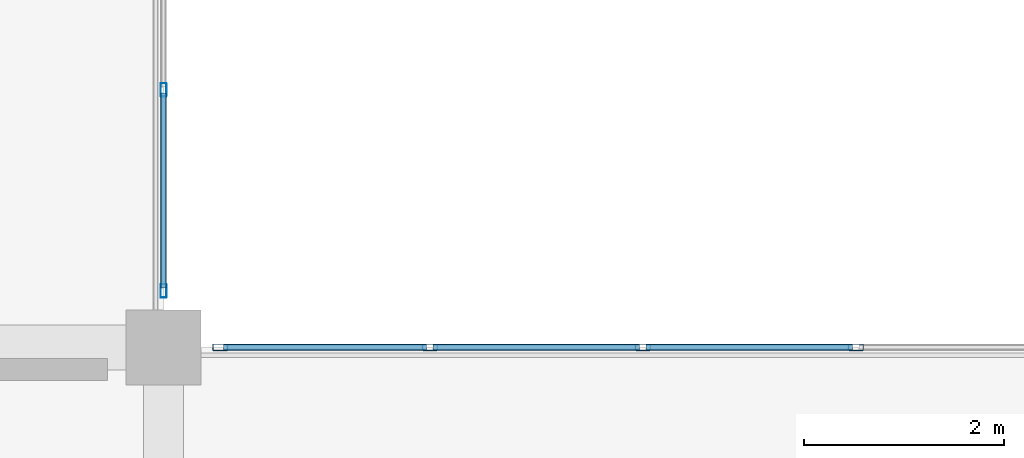
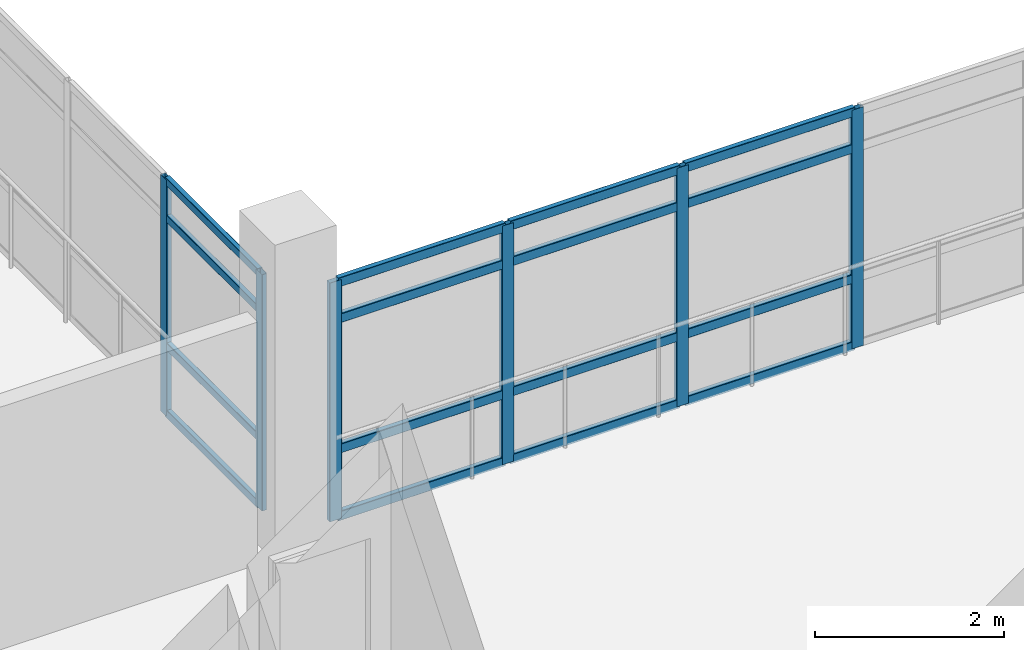
# One storey, part 93 of 180: 22 members, 2 elements without a shape of their own.
"""IFC4 building model written with IfcOpenShell, lengths in metres."""

from ifc_helpers import new_model, si_unit, direction, frame, origin, origin_2d, place, context, subcontext, project, spatial, hollow_rectangle, extrude, material, layer, layer_set, material_profile, profile_set, type_object, element, aggregate, save


model = new_model("IFC4")

# Units and contexts
model_context = context("Model", 3, precision=1e-05, world=origin(), true_north=direction((0.0, 1.0)))
body_context = subcontext(model_context, "Body", "Model", "MODEL_VIEW")
ifc_project = project(units=[si_unit("LENGTHUNIT", "METRE"), si_unit("AREAUNIT", "SQUARE_METRE"), si_unit("VOLUMEUNIT", "CUBIC_METRE"), si_unit("PLANEANGLEUNIT", "RADIAN"), si_unit("MASSUNIT", "GRAM", prefix="KILO")], contexts=[model_context])

# Site, building, storey
site_placement = place(None, origin())
site = spatial("IfcSite", under=ifc_project, at=site_placement, CompositionType="ELEMENT")
building_placement = place(site_placement, origin())
building = spatial("IfcBuilding", under=site, at=building_placement, Name="Asteropetra Specialist Clinic", CompositionType="ELEMENT")
storey_placement = place(building_placement, frame((0.0, 0.0, 4.419921875)))
storey = spatial("IfcBuildingStorey", under=building, at=storey_placement, Name="L01", CompositionType="ELEMENT", Elevation=4.419921875)

# Curtain wall, members
ifc_material_1 = material(Name="Aluminium and low-E glass", Category="aluminium")
ifc_layer_1 = layer(ifc_material_1, 0.14990234375)
ifc_layer_set_1 = layer_set([ifc_layer_1], Name="Aluminium and low-E glass")
curtain_wall_type_1 = type_object("IfcCurtainWallType", Name="CW-SYS-05", PredefinedType="USERDEFINED", material=ifc_layer_set_1)
curtain_wall_1_placement = place(storey_placement, origin())
curtain_wall_1 = element("IfcCurtainWall", 1, at=curtain_wall_1_placement, inside=storey, type_object=curtain_wall_type_1, Name="Curtain Wall CW-029", ObjectType="UNITISED CURTAIN WALL", PredefinedType="USERDEFINED")
ifc_material_2 = material(Name="Aluminium 6063-T6", Category="aluminium")
ifc_material_profile_1 = material_profile(ifc_material_2, hollow_rectangle(XDim=0.06005859375, YDim=0.135009765625, WallThickness=0.00341796875, InnerFilletRadius=0.00341796875, OuterFilletRadius=0.007080078125, at=origin_2d()), Name="MUL 135x60x3.5")
ifc_profile_set_1 = profile_set([ifc_material_profile_1], Name="Aluminium 6063-T6")
member_type_1 = type_object("IfcMemberType", Name="CWM-135x60", PredefinedType="MULLION", material=ifc_profile_set_1)
member_1_placement = place(storey_placement, frame((48.0, 79.37841796875, 0.0), z_axis=(0.0, 0.0, 1.0), x_axis=(1.0, 0.0, 0.0)))
member_1 = element("IfcMember", 2, at=member_1_placement, type_object=member_type_1, Name="CW-029 mullion 3", PredefinedType="MULLION", context=body_context, shape_type="SweptSolid", body=[
    extrude(hollow_rectangle(XDim=0.06005859375, YDim=0.135009765625, WallThickness=0.00341796875, InnerFilletRadius=0.00341796875, OuterFilletRadius=0.007080078125, at=origin_2d()), origin(), (0.0, 0.0, 1.0), 3.050048828125),
])
member_2_placement = place(storey_placement, frame((48.0, 77.364990234375, 0.0), z_axis=(0.0, 0.0, 1.0), x_axis=(1.0, 0.0, 0.0)))
member_2 = element("IfcMember", 3, at=member_2_placement, type_object=member_type_1, Name="CW-029 mullion 4", PredefinedType="MULLION", context=body_context, shape_type="SweptSolid", body=[
    extrude(hollow_rectangle(XDim=0.06005859375, YDim=0.135009765625, WallThickness=0.00341796875, InnerFilletRadius=0.00341796875, OuterFilletRadius=0.007080078125, at=origin_2d()), origin(), (0.0, 0.0, 1.0), 3.050048828125),
])

ifc_material_3 = material(Name="Aluminium and low-E glass", Category="aluminium")
ifc_layer_2 = layer(ifc_material_3, 0.135009765625)
ifc_layer_set_2 = layer_set([ifc_layer_2], Name="Aluminium and low-E glass")
curtain_wall_type_2 = type_object("IfcCurtainWallType", Name="CW-SYS-03", PredefinedType="USERDEFINED", material=ifc_layer_set_2)
curtain_wall_2_placement = place(storey_placement, origin())
curtain_wall_2 = element("IfcCurtainWall", 4, at=curtain_wall_2_placement, inside=storey, type_object=curtain_wall_type_2, Name="Curtain Wall CW-025", ObjectType="UNITISED CURTAIN WALL", PredefinedType="USERDEFINED")
ifc_material_4 = material(Name="Aluminium 6063-T6", Category="aluminium")
ifc_material_profile_2 = material_profile(ifc_material_4, hollow_rectangle(XDim=0.06494140625, YDim=0.14990234375, WallThickness=0.00390625, InnerFilletRadius=0.00390625, OuterFilletRadius=0.008056640625, at=origin_2d()), Name="MUL 150x65x4.0")
ifc_profile_set_2 = profile_set([ifc_material_profile_2], Name="Aluminium 6063-T6")
member_type_2 = type_object("IfcMemberType", Name="CWM-150x65", PredefinedType="MULLION", material=ifc_profile_set_2)
member_3_placement = place(storey_placement, frame((48.5673828125, 76.800048828125, 0.0), z_axis=(0.0, 0.0, 1.0), x_axis=(0.0, 1.0, 0.0)))
member_3 = element("IfcMember", 5, at=member_3_placement, type_object=member_type_2, Name="CW-025 mullion 1", PredefinedType="MULLION", context=body_context, shape_type="SweptSolid", body=[
    extrude(hollow_rectangle(XDim=0.06494140625, YDim=0.14990234375, WallThickness=0.00390625, InnerFilletRadius=0.00390625, OuterFilletRadius=0.008056640625, at=origin_2d()), origin(), (0.0, 0.0, 1.0), 3.080078125),
])
member_4_placement = place(storey_placement, frame((50.66748046875, 76.800048828125, 0.0), z_axis=(0.0, 0.0, 1.0), x_axis=(0.0, 1.0, 0.0)))
member_4 = element("IfcMember", 6, at=member_4_placement, type_object=member_type_2, Name="CW-025 mullion 2", PredefinedType="MULLION", context=body_context, shape_type="SweptSolid", body=[
    extrude(hollow_rectangle(XDim=0.06494140625, YDim=0.14990234375, WallThickness=0.00390625, InnerFilletRadius=0.00390625, OuterFilletRadius=0.008056640625, at=origin_2d()), origin(), (0.0, 0.0, 1.0), 3.080078125),
])
member_5_placement = place(storey_placement, frame((52.800048828125, 76.800048828125, 0.0), z_axis=(0.0, 0.0, 1.0), x_axis=(0.0, 1.0, 0.0)))
member_5 = element("IfcMember", 7, at=member_5_placement, type_object=member_type_2, Name="CW-025 mullion 3", PredefinedType="MULLION", context=body_context, shape_type="SweptSolid", body=[
    extrude(hollow_rectangle(XDim=0.06494140625, YDim=0.14990234375, WallThickness=0.00390625, InnerFilletRadius=0.00390625, OuterFilletRadius=0.008056640625, at=origin_2d()), origin(), (0.0, 0.0, 1.0), 3.080078125),
])
member_6_placement = place(storey_placement, frame((54.9326171875, 76.800048828125, 0.0), z_axis=(0.0, 0.0, 1.0), x_axis=(0.0, 1.0, 0.0)))
member_6 = element("IfcMember", 8, at=member_6_placement, type_object=member_type_2, Name="CW-025 mullion 4", PredefinedType="MULLION", context=body_context, shape_type="SweptSolid", body=[
    extrude(hollow_rectangle(XDim=0.06494140625, YDim=0.14990234375, WallThickness=0.00390625, InnerFilletRadius=0.00390625, OuterFilletRadius=0.008056640625, at=origin_2d()), origin(), (0.0, 0.0, 1.0), 3.080078125),
])

# Member
ifc_material_5 = material(Name="Aluminium 6063-T6", Category="aluminium")
ifc_material_profile_3 = material_profile(ifc_material_5, hollow_rectangle(XDim=0.06005859375, YDim=0.10009765625, WallThickness=0.00341796875, InnerFilletRadius=0.00341796875, OuterFilletRadius=0.007080078125, at=origin_2d()), Name="TRN 100x60x3.5")
ifc_profile_set_3 = profile_set([ifc_material_profile_3], Name="Aluminium 6063-T6")
member_type_3 = type_object("IfcMemberType", Name="CWT-100x60", PredefinedType="USERDEFINED", material=ifc_profile_set_3)
member_7_placement = place(storey_placement, frame((48.0, 79.348388671875, 0.030029296875), z_axis=(0.0, -1.0, 0.0), x_axis=(1.0, 0.0, 0.0)))
member_7 = element("IfcMember", 9, at=member_7_placement, type_object=member_type_3, Name="CW-029 transom 3.1", ObjectType="TRANSOM", PredefinedType="USERDEFINED", context=body_context, shape_type="SweptSolid", body=[
    extrude(hollow_rectangle(XDim=0.06005859375, YDim=0.10009765625, WallThickness=0.00341796875, InnerFilletRadius=0.00341796875, OuterFilletRadius=0.007080078125, at=origin_2d()), origin(), (0.0, 0.0, 1.0), 1.953369140625),
])

member_8_placement = place(storey_placement, frame((48.0, 79.348388671875, 0.900146484375), z_axis=(0.0, -1.0, 0.0), x_axis=(1.0, 0.0, 0.0)))
member_8 = element("IfcMember", 10, at=member_8_placement, type_object=member_type_3, Name="CW-029 transom 3.2", ObjectType="TRANSOM", PredefinedType="USERDEFINED", context=body_context, shape_type="SweptSolid", body=[
    extrude(hollow_rectangle(XDim=0.06005859375, YDim=0.10009765625, WallThickness=0.00341796875, InnerFilletRadius=0.00341796875, OuterFilletRadius=0.007080078125, at=origin_2d()), origin(), (0.0, 0.0, 1.0), 1.953369140625),
])

member_9_placement = place(storey_placement, frame((48.0, 79.348388671875, 2.550048828125), z_axis=(0.0, -1.0, 0.0), x_axis=(1.0, 0.0, 0.0)))
member_9 = element("IfcMember", 11, at=member_9_placement, type_object=member_type_3, Name="CW-029 transom 3.3", ObjectType="TRANSOM", PredefinedType="USERDEFINED", context=body_context, shape_type="SweptSolid", body=[
    extrude(hollow_rectangle(XDim=0.06005859375, YDim=0.10009765625, WallThickness=0.00341796875, InnerFilletRadius=0.00341796875, OuterFilletRadius=0.007080078125, at=origin_2d()), origin(), (0.0, 0.0, 1.0), 1.953369140625),
])

member_10_placement = place(storey_placement, frame((48.0, 79.348388671875, 3.02001953125), z_axis=(0.0, -1.0, 0.0), x_axis=(1.0, 0.0, 0.0)))
member_10 = element("IfcMember", 12, at=member_10_placement, type_object=member_type_3, Name="CW-029 transom 3.4", ObjectType="TRANSOM", PredefinedType="USERDEFINED", context=body_context, shape_type="SweptSolid", body=[
    extrude(hollow_rectangle(XDim=0.06005859375, YDim=0.10009765625, WallThickness=0.00341796875, InnerFilletRadius=0.00341796875, OuterFilletRadius=0.007080078125, at=origin_2d()), origin(), (0.0, 0.0, 1.0), 1.953369140625),
])

aggregate(curtain_wall_1, [member_1, member_2, member_7, member_8, member_9, member_10])

ifc_material_6 = material(Name="Aluminium 6063-T6", Category="aluminium")
ifc_material_profile_4 = material_profile(ifc_material_6, hollow_rectangle(XDim=0.06494140625, YDim=0.1201171875, WallThickness=0.00390625, InnerFilletRadius=0.00390625, OuterFilletRadius=0.008056640625, at=origin_2d()), Name="TRN 120x65x4.0")
ifc_profile_set_4 = profile_set([ifc_material_profile_4], Name="Aluminium 6063-T6")
member_type_4 = type_object("IfcMemberType", Name="CWT-120x65", PredefinedType="USERDEFINED", material=ifc_profile_set_4)
member_11_placement = place(storey_placement, frame((48.60009765625, 76.800048828125, 0.032470703125), z_axis=(1.0, 0.0, 0.0), x_axis=(0.0, 1.0, 0.0)))
member_11 = element("IfcMember", 13, at=member_11_placement, type_object=member_type_4, Name="CW-025 transom 1.1", ObjectType="TRANSOM", PredefinedType="USERDEFINED", context=body_context, shape_type="SweptSolid", body=[
    extrude(hollow_rectangle(XDim=0.06494140625, YDim=0.1201171875, WallThickness=0.00390625, InnerFilletRadius=0.00390625, OuterFilletRadius=0.008056640625, at=origin_2d()), origin(), (0.0, 0.0, 1.0), 2.034912109375),
])

member_12_placement = place(storey_placement, frame((48.60009765625, 76.800048828125, 0.900146484375), z_axis=(1.0, 0.0, 0.0), x_axis=(0.0, 1.0, 0.0)))
member_12 = element("IfcMember", 14, at=member_12_placement, type_object=member_type_4, Name="CW-025 transom 1.2", ObjectType="TRANSOM", PredefinedType="USERDEFINED", context=body_context, shape_type="SweptSolid", body=[
    extrude(hollow_rectangle(XDim=0.06494140625, YDim=0.1201171875, WallThickness=0.00390625, InnerFilletRadius=0.00390625, OuterFilletRadius=0.008056640625, at=origin_2d()), origin(), (0.0, 0.0, 1.0), 2.034912109375),
])

member_13_placement = place(storey_placement, frame((48.60009765625, 76.800048828125, 2.580078125), z_axis=(1.0, 0.0, 0.0), x_axis=(0.0, 1.0, 0.0)))
member_13 = element("IfcMember", 15, at=member_13_placement, type_object=member_type_4, Name="CW-025 transom 1.3", ObjectType="TRANSOM", PredefinedType="USERDEFINED", context=body_context, shape_type="SweptSolid", body=[
    extrude(hollow_rectangle(XDim=0.06494140625, YDim=0.1201171875, WallThickness=0.00390625, InnerFilletRadius=0.00390625, OuterFilletRadius=0.008056640625, at=origin_2d()), origin(), (0.0, 0.0, 1.0), 2.034912109375),
])

member_14_placement = place(storey_placement, frame((48.60009765625, 76.800048828125, 3.047607421875), z_axis=(1.0, 0.0, 0.0), x_axis=(0.0, 1.0, 0.0)))
member_14 = element("IfcMember", 16, at=member_14_placement, type_object=member_type_4, Name="CW-025 transom 1.4", ObjectType="TRANSOM", PredefinedType="USERDEFINED", context=body_context, shape_type="SweptSolid", body=[
    extrude(hollow_rectangle(XDim=0.06494140625, YDim=0.1201171875, WallThickness=0.00390625, InnerFilletRadius=0.00390625, OuterFilletRadius=0.008056640625, at=origin_2d()), origin(), (0.0, 0.0, 1.0), 2.034912109375),
])

member_15_placement = place(storey_placement, frame((50.699951171875, 76.800048828125, 0.032470703125), z_axis=(1.0, 0.0, 0.0), x_axis=(0.0, 1.0, 0.0)))
member_15 = element("IfcMember", 17, at=member_15_placement, type_object=member_type_4, Name="CW-025 transom 2.1", ObjectType="TRANSOM", PredefinedType="USERDEFINED", context=body_context, shape_type="SweptSolid", body=[
    extrude(hollow_rectangle(XDim=0.06494140625, YDim=0.1201171875, WallThickness=0.00390625, InnerFilletRadius=0.00390625, OuterFilletRadius=0.008056640625, at=origin_2d()), origin(), (0.0, 0.0, 1.0), 2.067626953125),
])

member_16_placement = place(storey_placement, frame((50.699951171875, 76.800048828125, 0.900146484375), z_axis=(1.0, 0.0, 0.0), x_axis=(0.0, 1.0, 0.0)))
member_16 = element("IfcMember", 18, at=member_16_placement, type_object=member_type_4, Name="CW-025 transom 2.2", ObjectType="TRANSOM", PredefinedType="USERDEFINED", context=body_context, shape_type="SweptSolid", body=[
    extrude(hollow_rectangle(XDim=0.06494140625, YDim=0.1201171875, WallThickness=0.00390625, InnerFilletRadius=0.00390625, OuterFilletRadius=0.008056640625, at=origin_2d()), origin(), (0.0, 0.0, 1.0), 2.067626953125),
])

member_17_placement = place(storey_placement, frame((50.699951171875, 76.800048828125, 2.580078125), z_axis=(1.0, 0.0, 0.0), x_axis=(0.0, 1.0, 0.0)))
member_17 = element("IfcMember", 19, at=member_17_placement, type_object=member_type_4, Name="CW-025 transom 2.3", ObjectType="TRANSOM", PredefinedType="USERDEFINED", context=body_context, shape_type="SweptSolid", body=[
    extrude(hollow_rectangle(XDim=0.06494140625, YDim=0.1201171875, WallThickness=0.00390625, InnerFilletRadius=0.00390625, OuterFilletRadius=0.008056640625, at=origin_2d()), origin(), (0.0, 0.0, 1.0), 2.067626953125),
])

member_18_placement = place(storey_placement, frame((50.699951171875, 76.800048828125, 3.047607421875), z_axis=(1.0, 0.0, 0.0), x_axis=(0.0, 1.0, 0.0)))
member_18 = element("IfcMember", 20, at=member_18_placement, type_object=member_type_4, Name="CW-025 transom 2.4", ObjectType="TRANSOM", PredefinedType="USERDEFINED", context=body_context, shape_type="SweptSolid", body=[
    extrude(hollow_rectangle(XDim=0.06494140625, YDim=0.1201171875, WallThickness=0.00390625, InnerFilletRadius=0.00390625, OuterFilletRadius=0.008056640625, at=origin_2d()), origin(), (0.0, 0.0, 1.0), 2.067626953125),
])

member_19_placement = place(storey_placement, frame((52.83251953125, 76.800048828125, 0.032470703125), z_axis=(1.0, 0.0, 0.0), x_axis=(0.0, 1.0, 0.0)))
member_19 = element("IfcMember", 21, at=member_19_placement, type_object=member_type_4, Name="CW-025 transom 3.1", ObjectType="TRANSOM", PredefinedType="USERDEFINED", context=body_context, shape_type="SweptSolid", body=[
    extrude(hollow_rectangle(XDim=0.06494140625, YDim=0.1201171875, WallThickness=0.00390625, InnerFilletRadius=0.00390625, OuterFilletRadius=0.008056640625, at=origin_2d()), origin(), (0.0, 0.0, 1.0), 2.0673828125),
])

member_20_placement = place(storey_placement, frame((52.83251953125, 76.800048828125, 0.900146484375), z_axis=(1.0, 0.0, 0.0), x_axis=(0.0, 1.0, 0.0)))
member_20 = element("IfcMember", 22, at=member_20_placement, type_object=member_type_4, Name="CW-025 transom 3.2", ObjectType="TRANSOM", PredefinedType="USERDEFINED", context=body_context, shape_type="SweptSolid", body=[
    extrude(hollow_rectangle(XDim=0.06494140625, YDim=0.1201171875, WallThickness=0.00390625, InnerFilletRadius=0.00390625, OuterFilletRadius=0.008056640625, at=origin_2d()), origin(), (0.0, 0.0, 1.0), 2.0673828125),
])

member_21_placement = place(storey_placement, frame((52.83251953125, 76.800048828125, 2.580078125), z_axis=(1.0, 0.0, 0.0), x_axis=(0.0, 1.0, 0.0)))
member_21 = element("IfcMember", 23, at=member_21_placement, type_object=member_type_4, Name="CW-025 transom 3.3", ObjectType="TRANSOM", PredefinedType="USERDEFINED", context=body_context, shape_type="SweptSolid", body=[
    extrude(hollow_rectangle(XDim=0.06494140625, YDim=0.1201171875, WallThickness=0.00390625, InnerFilletRadius=0.00390625, OuterFilletRadius=0.008056640625, at=origin_2d()), origin(), (0.0, 0.0, 1.0), 2.0673828125),
])

member_22_placement = place(storey_placement, frame((52.83251953125, 76.800048828125, 3.047607421875), z_axis=(1.0, 0.0, 0.0), x_axis=(0.0, 1.0, 0.0)))
member_22 = element("IfcMember", 24, at=member_22_placement, type_object=member_type_4, Name="CW-025 transom 3.4", ObjectType="TRANSOM", PredefinedType="USERDEFINED", context=body_context, shape_type="SweptSolid", body=[
    extrude(hollow_rectangle(XDim=0.06494140625, YDim=0.1201171875, WallThickness=0.00390625, InnerFilletRadius=0.00390625, OuterFilletRadius=0.008056640625, at=origin_2d()), origin(), (0.0, 0.0, 1.0), 2.0673828125),
])

aggregate(curtain_wall_2, [member_3, member_4, member_5, member_6, member_11, member_12, member_13, member_14, member_15, member_16, member_17, member_18, member_19, member_20, member_21, member_22])

save(model, "model.ifc")
